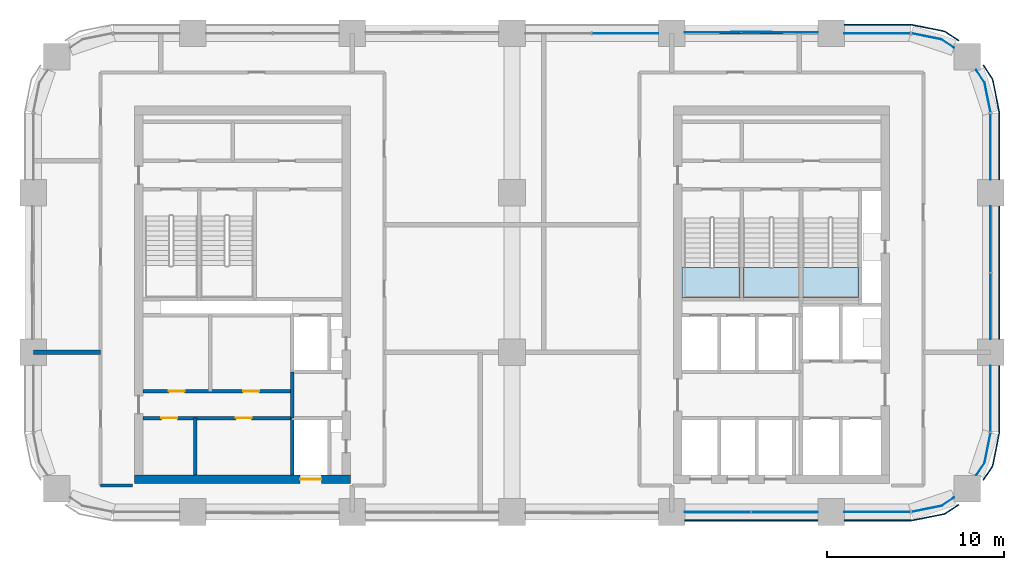
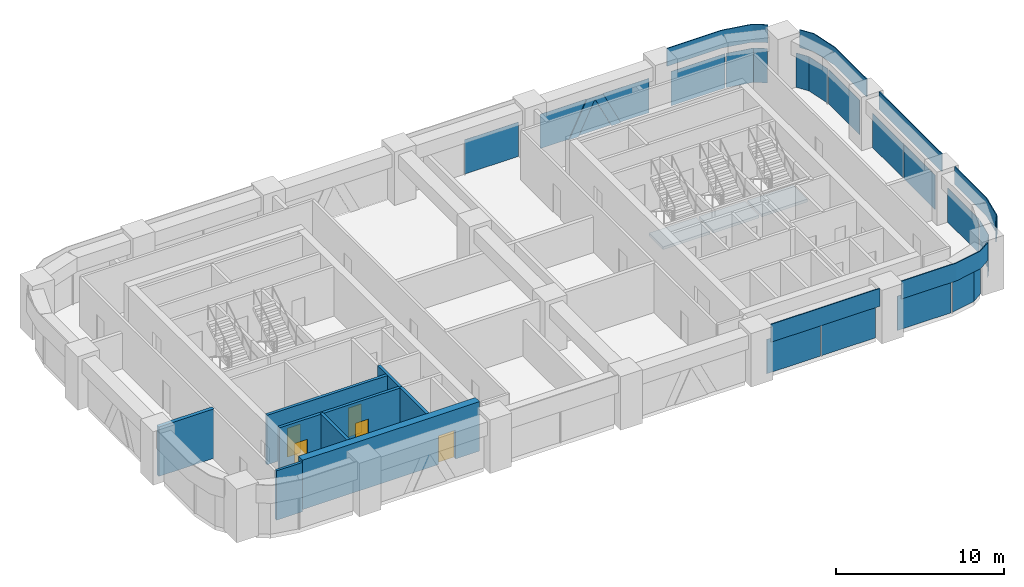
# One storey, part 7 of 18: 23 plates, 8 walls, 5 doors, 3 slabs, 5 openings, 11 elements without a shape of their own.
"""IFC4 building model written with IfcOpenShell, lengths in metres."""

from ifc_helpers import new_model, si_unit, direction, frame, frame_2d, origin, origin_2d, place, context, subcontext, project, spatial, polyline, rectangle, outline, extrude, material, layer, layer_set, type_object, element, fill, aggregate, save


model = new_model("IFC4")

# Units and contexts
model_context = context("Model", 3, precision=1e-05, world=origin(), true_north=direction((0.0, 1.0)))
body_context = subcontext(model_context, "Body", "Model", "MODEL_VIEW")
ifc_project = project(units=[si_unit("LENGTHUNIT", "METRE"), si_unit("AREAUNIT", "SQUARE_METRE"), si_unit("VOLUMEUNIT", "CUBIC_METRE"), si_unit("PLANEANGLEUNIT", "RADIAN"), si_unit("MASSUNIT", "GRAM", prefix="KILO")], contexts=[model_context])

# Site, building, storey
site_placement = place(None, origin())
site = spatial("IfcSite", under=ifc_project, at=site_placement, CompositionType="ELEMENT")
building_placement = place(site_placement, origin())
building = spatial("IfcBuilding", under=site, at=building_placement, Name="Tessera Arch", CompositionType="ELEMENT")
storey_placement = place(building_placement, frame((0.0, 0.0, 185.60009765625)))
storey = spatial("IfcBuildingStorey", under=building, at=storey_placement, Name="L44", CompositionType="ELEMENT", Elevation=185.60009765625)

# Curtain wall, plates
ifc_material_1 = material(Name="CW1 curtain wall")
curtain_wall_type_1 = type_object("IfcCurtainWallType", Name="CW1 curtain wall", PredefinedType="NOTDEFINED", material=ifc_material_1)
curtain_wall_1_placement = place(storey_placement, origin())
curtain_wall_1 = element("IfcCurtainWall", 1, at=curtain_wall_1_placement, inside=storey, type_object=curtain_wall_type_1, Name="CW1 curtain wall E54.27/0 L44", PredefinedType="NOTDEFINED")
ifc_material_2 = material(Name="Clear low-e glass", Category="glass")
ifc_material_3 = material(Name="Clear low-e glass", Category="glass")
ifc_layer_1 = layer(ifc_material_3, 0.028076171875)
ifc_layer_set_1 = layer_set([ifc_layer_1], Name="CW1 glass panel")
plate_type_1 = type_object("IfcPlateType", Name="CW1 glass panel", PredefinedType="CURTAIN_PANEL", material=ifc_layer_set_1)
plate_1_placement = place(storey_placement, frame((54.0, 38.610107421875, 0.0), z_axis=(0.0, 0.0, 1.0), x_axis=(0.0, 1.0, 0.0)))
plate_1 = element("IfcPlate", 2, at=plate_1_placement, type_object=plate_type_1, material=ifc_material_2, Name="CW1 glass panel E54.27/0 1.1.1", PredefinedType="CURTAIN_PANEL", context=body_context, shape_type="SweptSolid", body=[
    extrude(rectangle(XDim=3.719970703125, YDim=0.028076171875, at=origin_2d()), origin(), (0.0, 0.0, 1.0), 2.5),
])
plate_2_placement = place(storey_placement, frame((54.0, 42.389892578125, 0.0), z_axis=(0.0, 0.0, 1.0), x_axis=(0.0, 1.0, 0.0)))
plate_2 = element("IfcPlate", 3, at=plate_2_placement, type_object=plate_type_1, material=ifc_material_2, Name="CW1 glass panel E54.27/0 1.2.1", PredefinedType="CURTAIN_PANEL", context=body_context, shape_type="SweptSolid", body=[
    extrude(rectangle(XDim=3.719970703125, YDim=0.028076171875, at=origin_2d()), origin(), (0.0, 0.0, 1.0), 2.5),
])

# Curtain wall, plate
curtain_wall_2_placement = place(storey_placement, origin())
curtain_wall_2 = element("IfcCurtainWall", 4, at=curtain_wall_2_placement, inside=storey, type_object=curtain_wall_type_1, Name="CW1 curtain wall N54.0/2 L44", PredefinedType="NOTDEFINED")
plate_3_placement = place(storey_placement, frame((33.389892578125, 54.0, 0.0), z_axis=(0.0, 0.0, 1.0), x_axis=(-1.0, 0.0, 0.0)))
plate_3 = element("IfcPlate", 5, at=plate_3_placement, type_object=plate_type_1, material=ifc_material_2, Name="CW1 glass panel N54.0/2 1.1.1", PredefinedType="CURTAIN_PANEL", context=body_context, shape_type="SweptSolid", body=[
    extrude(rectangle(XDim=3.719970703125, YDim=0.028076171875, at=origin_2d()), origin(), (0.0, 0.0, 1.0), 2.5),
])
aggregate(curtain_wall_2, [plate_3])

# Curtain wall, plates
curtain_wall_3_placement = place(storey_placement, origin())
curtain_wall_3 = element("IfcCurtainWall", 6, at=curtain_wall_3_placement, inside=storey, type_object=curtain_wall_type_1, Name="CW1 curtain wall S27.0/4 L44", PredefinedType="NOTDEFINED")
plate_4_placement = place(storey_placement, frame((38.610107421875, 27.0, 0.0), z_axis=(0.0, 0.0, 1.0), x_axis=(1.0, 0.0, 0.0)))
plate_4 = element("IfcPlate", 7, at=plate_4_placement, type_object=plate_type_1, material=ifc_material_2, Name="CW1 glass panel S27.0/4 1.1.1", PredefinedType="CURTAIN_PANEL", context=body_context, shape_type="SweptSolid", body=[
    extrude(rectangle(XDim=3.719970703125, YDim=0.028076171875, at=origin_2d()), origin(), (0.0, 0.0, 1.0), 2.5),
])
plate_5_placement = place(storey_placement, frame((42.389892578125, 27.0, 0.0), z_axis=(0.0, 0.0, 1.0), x_axis=(1.0, 0.0, 0.0)))
plate_5 = element("IfcPlate", 8, at=plate_5_placement, type_object=plate_type_1, material=ifc_material_2, Name="CW1 glass panel S27.0/4 1.2.1", PredefinedType="CURTAIN_PANEL", context=body_context, shape_type="SweptSolid", body=[
    extrude(rectangle(XDim=3.719970703125, YDim=0.028076171875, at=origin_2d()), origin(), (0.0, 0.0, 1.0), 2.5),
])

# Plate
ifc_material_4 = material(Name="Pale anodised aluminium panel", Category="aluminium")
ifc_layer_2 = layer(ifc_material_4, 0.06005859375)
ifc_layer_set_2 = layer_set([ifc_layer_2], Name="CW1 spandrel panel")
plate_type_2 = type_object("IfcPlateType", Name="CW1 spandrel panel", PredefinedType="CURTAIN_PANEL", material=ifc_layer_set_2)
plate_6_placement = place(storey_placement, frame((54.47998046875, 40.5, 2.60009765625), z_axis=(0.0, 0.0, 1.0), x_axis=(0.0, 1.0, 0.0)))
plate_6 = element("IfcPlate", 9, at=plate_6_placement, type_object=plate_type_2, Name="CW1 spandrel panel E54.27/0", PredefinedType="CURTAIN_PANEL", context=body_context, shape_type="SweptSolid", body=[
    extrude(rectangle(XDim=7.5, YDim=0.06005859375, at=origin_2d()), origin(), (0.0, 0.0, 1.0), 1.300048828125),
])

aggregate(curtain_wall_1, [plate_1, plate_2, plate_6])

plate_7_placement = place(storey_placement, frame((40.5, 26.52001953125, 2.60009765625), z_axis=(0.0, 0.0, 1.0), x_axis=(1.0, 0.0, 0.0)))
plate_7 = element("IfcPlate", 10, at=plate_7_placement, type_object=plate_type_2, Name="CW1 spandrel panel S27.0/4", PredefinedType="CURTAIN_PANEL", context=body_context, shape_type="SweptSolid", body=[
    extrude(rectangle(XDim=7.5, YDim=0.06005859375, at=origin_2d()), origin(), (0.0, 0.0, 1.0), 1.300048828125),
])

aggregate(curtain_wall_3, [plate_4, plate_5, plate_7])

# Curtain wall, plates
ifc_material_5 = material(Name="CW2 curtain wall")
curtain_wall_type_2 = type_object("IfcCurtainWallType", Name="CW2 curtain wall", PredefinedType="NOTDEFINED", material=ifc_material_5)
curtain_wall_4_placement = place(storey_placement, origin())
curtain_wall_4 = element("IfcCurtainWall", 11, at=curtain_wall_4_placement, inside=storey, type_object=curtain_wall_type_2, Name="CW2 curtain wall E54.27/1 L44", PredefinedType="NOTDEFINED")
ifc_material_6 = material(Name="Clear low-e glass", Category="glass")
ifc_layer_3 = layer(ifc_material_6, 0.028076171875)
ifc_layer_set_3 = layer_set([ifc_layer_3], Name="CW2 glass panel")
plate_type_3 = type_object("IfcPlateType", Name="CW2 glass panel", PredefinedType="CURTAIN_PANEL", material=ifc_layer_set_3)
plate_8_placement = place(storey_placement, frame((54.0, 47.60498046875, 0.0), z_axis=(0.0, 0.0, 1.0), x_axis=(0.0, 1.0, 0.0)))
plate_8 = element("IfcPlate", 12, at=plate_8_placement, type_object=plate_type_3, material=ifc_material_2, Name="CW2 glass panel E54.27/1 1.1", PredefinedType="CURTAIN_PANEL", context=body_context, shape_type="SweptSolid", body=[
    extrude(rectangle(XDim=3.7099609375, YDim=0.028076171875, at=origin_2d()), origin(), (0.0, 0.0, 1.0), 2.5),
])
plate_9_placement = place(storey_placement, origin())
plate_9 = element("IfcPlate", 13, at=plate_9_placement, type_object=plate_type_3, material=ifc_material_2, Name="CW2 curved glass panel E54.27/1 2.1", PredefinedType="CURTAIN_PANEL", context=body_context, shape_type="SweptSolid", body=[
    extrude(outline(polyline([(53.644287109375, 51.216552734375), (53.978515625, 49.53662109375), (54.005859375, 49.5419921875), (53.670654296875, 51.2275390625), (53.19482421875, 51.939697265625), (53.17138671875, 51.92431640625), (53.644287109375, 51.216552734375)])), origin(), (0.0, 0.0, 1.0), 2.5),
])

curtain_wall_5_placement = place(storey_placement, origin())
curtain_wall_5 = element("IfcCurtainWall", 14, at=curtain_wall_5_placement, inside=storey, type_object=curtain_wall_type_2, Name="CW2 curtain wall N54.0/0 L44", PredefinedType="NOTDEFINED")
plate_10_placement = place(storey_placement, frame((47.60498046875, 54.0, 0.0), z_axis=(0.0, 0.0, 1.0), x_axis=(-1.0, 0.0, 0.0)))
plate_10 = element("IfcPlate", 15, at=plate_10_placement, type_object=plate_type_3, material=ifc_material_2, Name="CW2 glass panel N54.0/0 1.1", PredefinedType="CURTAIN_PANEL", context=body_context, shape_type="SweptSolid", body=[
    extrude(rectangle(XDim=3.7099609375, YDim=0.028076171875, at=origin_2d()), origin(), (0.0, 0.0, 1.0), 2.5),
])
plate_11_placement = place(storey_placement, origin())
plate_11 = element("IfcPlate", 16, at=plate_11_placement, type_object=plate_type_3, material=ifc_material_2, Name="CW2 curved glass panel N54.0/0 2.1", PredefinedType="CURTAIN_PANEL", context=body_context, shape_type="SweptSolid", body=[
    extrude(outline(polyline([(51.216552734375, 53.644287109375), (51.92431640625, 53.17138671875), (51.939697265625, 53.19482421875), (51.2275390625, 53.670654296875), (49.5419921875, 54.005859375), (49.53662109375, 53.978515625), (51.216552734375, 53.644287109375)])), origin(), (0.0, 0.0, 1.0), 2.5),
])

curtain_wall_6_placement = place(storey_placement, origin())
curtain_wall_6 = element("IfcCurtainWall", 17, at=curtain_wall_6_placement, inside=storey, type_object=curtain_wall_type_2, Name="CW2 curtain wall S27.0/5 L44", PredefinedType="NOTDEFINED")
plate_12_placement = place(storey_placement, frame((47.60498046875, 27.0, 0.0), z_axis=(0.0, 0.0, 1.0), x_axis=(1.0, 0.0, 0.0)))
plate_12 = element("IfcPlate", 18, at=plate_12_placement, type_object=plate_type_3, material=ifc_material_2, Name="CW2 glass panel S27.0/5 1.1", PredefinedType="CURTAIN_PANEL", context=body_context, shape_type="SweptSolid", body=[
    extrude(rectangle(XDim=3.7099609375, YDim=0.028076171875, at=origin_2d()), origin(), (0.0, 0.0, 1.0), 2.5),
])
plate_13_placement = place(storey_placement, origin())
plate_13 = element("IfcPlate", 19, at=plate_13_placement, type_object=plate_type_3, material=ifc_material_2, Name="CW2 curved glass panel S27.0/5 2.1", PredefinedType="CURTAIN_PANEL", context=body_context, shape_type="SweptSolid", body=[
    extrude(outline(polyline([(51.216552734375, 27.355712890625), (49.53662109375, 27.021484375), (49.5419921875, 26.994140625), (51.2275390625, 27.329345703125), (51.939697265625, 27.80517578125), (51.92431640625, 27.82861328125), (51.216552734375, 27.355712890625)])), origin(), (0.0, 0.0, 1.0), 2.5),
])

curtain_wall_7_placement = place(storey_placement, origin())
curtain_wall_7 = element("IfcCurtainWall", 20, at=curtain_wall_7_placement, inside=storey, type_object=curtain_wall_type_2, Name="CW2 curtain wall E54.27/2 L44", PredefinedType="NOTDEFINED")
plate_14_placement = place(storey_placement, frame((54.0, 33.39501953125, 0.0), z_axis=(0.0, 0.0, 1.0), x_axis=(0.0, 1.0, 0.0)))
plate_14 = element("IfcPlate", 21, at=plate_14_placement, type_object=plate_type_3, material=ifc_material_2, Name="CW2 glass panel E54.27/2 1.1", PredefinedType="CURTAIN_PANEL", context=body_context, shape_type="SweptSolid", body=[
    extrude(rectangle(XDim=3.7099609375, YDim=0.028076171875, at=origin_2d()), origin(), (0.0, 0.0, 1.0), 2.5),
])
plate_15_placement = place(storey_placement, origin())
plate_15 = element("IfcPlate", 22, at=plate_15_placement, type_object=plate_type_3, material=ifc_material_2, Name="CW2 curved glass panel E54.27/2 2.1", PredefinedType="CURTAIN_PANEL", context=body_context, shape_type="SweptSolid", body=[
    extrude(outline(polyline([(53.644287109375, 29.783447265625), (53.17138671875, 29.07568359375), (53.19482421875, 29.060302734375), (53.670654296875, 29.7724609375), (54.005859375, 31.4580078125), (53.978515625, 31.46337890625), (53.644287109375, 29.783447265625)])), origin(), (0.0, 0.0, 1.0), 2.5),
])

# Plate
ifc_material_7 = material(Name="Pale anodised aluminium panel", Category="aluminium")
ifc_layer_4 = layer(ifc_material_7, 0.06005859375)
ifc_layer_set_4 = layer_set([ifc_layer_4], Name="CW2 spandrel panel")
plate_type_4 = type_object("IfcPlateType", Name="CW2 spandrel panel", PredefinedType="CURTAIN_PANEL", material=ifc_layer_set_4)
plate_16_placement = place(storey_placement, frame((0.0, 0.0, 2.599853515625)))
plate_16 = element("IfcPlate", 23, at=plate_16_placement, type_object=plate_type_4, Name="CW2 spandrel panel E54.27/1", PredefinedType="CURTAIN_PANEL", context=body_context, shape_type="SweptSolid", body=[
    extrude(outline(polyline([(54.449951171875, 49.499267578125), (54.449951171875, 45.75), (54.510009765625, 45.75), (54.510009765625, 49.500732421875), (54.507568359375, 49.550048828125), (54.500244140625, 49.598876953125), (54.157470703125, 51.322265625), (54.1455078125, 51.3701171875), (54.128662109375, 51.417236328125), (54.107421875, 51.462646484375), (54.08203125, 51.5048828125), (53.607177734375, 52.21533203125), (53.55712890625, 52.18212890625), (54.03125, 51.47265625), (54.054443359375, 51.434326171875), (54.0732421875, 51.394287109375), (54.088134765625, 51.352783203125), (54.09912109375, 51.30908203125), (54.441162109375, 49.588623046875), (54.44775390625, 49.544189453125), (54.449951171875, 49.499267578125)])), origin(), (0.0, 0.0, 1.0), 1.300048828125),
])

aggregate(curtain_wall_4, [plate_8, plate_9, plate_16])

plate_17_placement = place(storey_placement, frame((0.0, 0.0, 2.599853515625)))
plate_17 = element("IfcPlate", 24, at=plate_17_placement, type_object=plate_type_4, Name="CW2 spandrel panel N54.0/0", PredefinedType="CURTAIN_PANEL", context=body_context, shape_type="SweptSolid", body=[
    extrude(outline(polyline([(51.47265625, 54.03125), (52.18212890625, 53.55712890625), (52.21533203125, 53.607177734375), (51.5048828125, 54.08203125), (51.462646484375, 54.107421875), (51.417236328125, 54.128662109375), (51.3701171875, 54.1455078125), (51.322265625, 54.157470703125), (49.598876953125, 54.500244140625), (49.550048828125, 54.507568359375), (49.500732421875, 54.510009765625), (45.75, 54.510009765625), (45.75, 54.449951171875), (49.499267578125, 54.449951171875), (49.544189453125, 54.44775390625), (49.588623046875, 54.441162109375), (51.30908203125, 54.09912109375), (51.352783203125, 54.088134765625), (51.394287109375, 54.0732421875), (51.434326171875, 54.054443359375), (51.47265625, 54.03125)])), origin(), (0.0, 0.0, 1.0), 1.300048828125),
])

aggregate(curtain_wall_5, [plate_10, plate_11, plate_17])

plate_18_placement = place(storey_placement, frame((0.0, 0.0, 2.599853515625)))
plate_18 = element("IfcPlate", 25, at=plate_18_placement, type_object=plate_type_4, Name="CW2 spandrel panel S27.0/5", PredefinedType="CURTAIN_PANEL", context=body_context, shape_type="SweptSolid", body=[
    extrude(outline(polyline([(49.499267578125, 26.550048828125), (45.75, 26.550048828125), (45.75, 26.489990234375), (49.500732421875, 26.489990234375), (49.550048828125, 26.492431640625), (49.598876953125, 26.499755859375), (51.322265625, 26.842529296875), (51.3701171875, 26.8544921875), (51.417236328125, 26.871337890625), (51.462646484375, 26.892578125), (51.5048828125, 26.91796875), (52.21533203125, 27.392822265625), (52.18212890625, 27.44287109375), (51.47265625, 26.96875), (51.434326171875, 26.945556640625), (51.394287109375, 26.9267578125), (51.352783203125, 26.911865234375), (51.30908203125, 26.90087890625), (49.588623046875, 26.558837890625), (49.544189453125, 26.55224609375), (49.499267578125, 26.550048828125)])), origin(), (0.0, 0.0, 1.0), 1.300048828125),
])

aggregate(curtain_wall_6, [plate_12, plate_13, plate_18])

plate_19_placement = place(storey_placement, frame((0.0, 0.0, 2.599853515625)))
plate_19 = element("IfcPlate", 26, at=plate_19_placement, type_object=plate_type_4, Name="CW2 spandrel panel E54.27/2", PredefinedType="CURTAIN_PANEL", context=body_context, shape_type="SweptSolid", body=[
    extrude(outline(polyline([(54.03125, 29.52734375), (53.55712890625, 28.81787109375), (53.607177734375, 28.78466796875), (54.08203125, 29.4951171875), (54.107421875, 29.537353515625), (54.128662109375, 29.582763671875), (54.1455078125, 29.6298828125), (54.157470703125, 29.677734375), (54.500244140625, 31.401123046875), (54.507568359375, 31.449951171875), (54.510009765625, 31.499267578125), (54.510009765625, 35.25), (54.449951171875, 35.25), (54.449951171875, 31.500732421875), (54.44775390625, 31.455810546875), (54.441162109375, 31.411376953125), (54.09912109375, 29.69091796875), (54.088134765625, 29.647216796875), (54.0732421875, 29.605712890625), (54.054443359375, 29.565673828125), (54.03125, 29.52734375)])), origin(), (0.0, 0.0, 1.0), 1.300048828125),
])

aggregate(curtain_wall_7, [plate_14, plate_15, plate_19])

# Curtain wall, plates
ifc_material_8 = material(Name="CW3 curtain wall")
curtain_wall_type_3 = type_object("IfcCurtainWallType", Name="CW3 curtain wall", PredefinedType="NOTDEFINED", material=ifc_material_8)
curtain_wall_8_placement = place(storey_placement, origin())
curtain_wall_8 = element("IfcCurtainWall", 27, at=curtain_wall_8_placement, inside=storey, type_object=curtain_wall_type_3, Name="CW3 curtain wall N54.0/1 L44", PredefinedType="NOTDEFINED")
ifc_material_9 = material(Name="Pale anodised aluminium panel", Category="aluminium")
ifc_layer_5 = layer(ifc_material_9, 0.06005859375)
ifc_layer_set_5 = layer_set([ifc_layer_5], Name="CW3 diagonal panel")
plate_type_5 = type_object("IfcPlateType", Name="CW3 diagonal panel", PredefinedType="CURTAIN_PANEL", material=ifc_layer_set_5)
plate_20_placement = place(storey_placement, frame((39.935546875, 54.030029296875, 2.5), z_axis=(0.0, 1.0, 0.0), x_axis=(1.0, 0.0, 0.0)))
plate_20 = element("IfcPlate", 28, at=plate_20_placement, type_object=plate_type_5, Name="CW3 diagonal panel N54.0/1 1", PredefinedType="CURTAIN_PANEL", context=body_context, shape_type="SweptSolid", body=[
    extrude(outline(polyline([(0.0, 0.0), (1.12890625, 0.0), (2.346435546875, 2.5), (1.70458984375, 2.5), (0.564453125, 0.1591796875), (-0.57568359375, 2.5), (-1.217529296875, 2.5), (0.0, 0.0)])), origin(), (0.0, 0.0, -1.0), 0.06005859375),
])
ifc_material_10 = material(Name="Clear low-e glass", Category="glass")
ifc_layer_6 = layer(ifc_material_10, 0.028076171875)
ifc_layer_set_6 = layer_set([ifc_layer_6], Name="CW3 glass panel")
plate_type_6 = type_object("IfcPlateType", Name="CW3 glass panel", PredefinedType="CURTAIN_PANEL", material=ifc_layer_set_6)
plate_21_placement = place(storey_placement, frame((44.25, 54.05810546875, 0.0), z_axis=(0.0, 1.0, 0.0), x_axis=(-1.0, 0.0, 0.0)))
plate_21 = element("IfcPlate", 29, at=plate_21_placement, type_object=plate_type_6, material=ifc_material_2, Name="CW3 triangulated glass panel N54.0/1 1", PredefinedType="CURTAIN_PANEL", context=body_context, shape_type="SweptSolid", body=[
    extrude(outline(polyline([(0.0, 0.0), (1.968017578125, 0.0), (3.185546875, 2.5), (0.0, 2.5), (0.0, 0.0)])), origin(), (0.0, 0.0, -1.0), 0.028076171875),
])
plate_22_placement = place(storey_placement, frame((41.64013671875, 54.0859375, 0.0), z_axis=(0.0, 1.0, 0.0), x_axis=(-1.0, 0.0, 0.0)))
plate_22 = element("IfcPlate", 30, at=plate_22_placement, type_object=plate_type_6, material=ifc_material_2, Name="CW3 triangulated glass panel N54.0/1 2", PredefinedType="CURTAIN_PANEL", context=body_context, shape_type="SweptSolid", body=[
    extrude(outline(polyline([(0.0, 0.0), (2.2802734375, 0.0), (1.14013671875, 2.3408203125), (0.0, 0.0)])), origin(), (0.0, 0.0, -1.0), 0.028076171875),
])
plate_23_placement = place(storey_placement, frame((36.75, 54.05810546875, 2.5), z_axis=(0.0, 1.0, 0.0), x_axis=(1.0, 0.0, 0.0)))
plate_23 = element("IfcPlate", 31, at=plate_23_placement, type_object=plate_type_6, material=ifc_material_2, Name="CW3 triangulated glass panel N54.0/1 3", PredefinedType="CURTAIN_PANEL", context=body_context, shape_type="SweptSolid", body=[
    extrude(outline(polyline([(0.0, 0.0), (3.185546875, 0.0), (1.968017578125, 2.5), (0.0, 2.5), (0.0, 0.0)])), origin(), (0.0, 0.0, -1.0), 0.028076171875),
])
aggregate(curtain_wall_8, [plate_21, plate_22, plate_23, plate_20])

# Stair, slab
ifc_material_11 = material(Name="Concrete C40/50", Category="concrete")
stair_type = type_object("IfcStairType", Name="Dogleg stair 1520", PredefinedType="HALF_TURN_STAIR", material=ifc_material_11)
stair_1_placement = place(storey_placement, origin())
stair_1 = element("IfcStair", 32, at=stair_1_placement, inside=storey, type_object=stair_type, Name="L44 S1a", PredefinedType="HALF_TURN_STAIR")
ifc_material_12 = material(Name="Concrete C40/50", Category="concrete")
ifc_layer_7 = layer(ifc_material_12, 0.300048828125)
ifc_layer_set_7 = layer_set([ifc_layer_7], Name="Stair landing 300")
slab_type = type_object("IfcSlabType", Name="Stair landing 300", PredefinedType="LANDING", material=ifc_layer_set_7)
slab_1_placement = place(storey_placement, frame((0.0, 0.0, 1.75)))
slab_1 = element("IfcSlab", 33, at=slab_1_placement, type_object=slab_type, Name="S1a landing 1", PredefinedType="LANDING", context=body_context, shape_type="SweptSolid", body=[
    extrude(outline(polyline([(36.60009765625, 40.780029296875), (36.60009765625, 39.10009765625), (39.85009765625, 39.10009765625), (39.85009765625, 40.780029296875), (36.60009765625, 40.780029296875)])), origin(), (0.0, 0.0, 1.0), 0.199951171875),
])
aggregate(stair_1, [slab_1])

stair_2_placement = place(storey_placement, origin())
stair_2 = element("IfcStair", 34, at=stair_2_placement, inside=storey, type_object=stair_type, Name="L44 S1b", PredefinedType="HALF_TURN_STAIR")
slab_2_placement = place(storey_placement, frame((0.0, 0.0, 1.75)))
slab_2 = element("IfcSlab", 35, at=slab_2_placement, type_object=slab_type, Name="S1b landing 1", PredefinedType="LANDING", context=body_context, shape_type="SweptSolid", body=[
    extrude(outline(polyline([(40.050048828125, 40.780029296875), (40.050048828125, 39.10009765625), (43.199951171875, 39.10009765625), (43.199951171875, 40.780029296875), (40.050048828125, 40.780029296875)])), origin(), (0.0, 0.0, 1.0), 0.199951171875),
])
aggregate(stair_2, [slab_2])

stair_3_placement = place(storey_placement, origin())
stair_3 = element("IfcStair", 36, at=stair_3_placement, inside=storey, type_object=stair_type, Name="L44 S1c", PredefinedType="HALF_TURN_STAIR")
slab_3_placement = place(storey_placement, frame((0.0, 0.0, 1.75)))
slab_3 = element("IfcSlab", 37, at=slab_3_placement, type_object=slab_type, Name="S1c landing 1", PredefinedType="LANDING", context=body_context, shape_type="SweptSolid", body=[
    extrude(outline(polyline([(43.39990234375, 40.780029296875), (43.39990234375, 39.10009765625), (46.550048828125, 39.10009765625), (46.550048828125, 40.780029296875), (43.39990234375, 40.780029296875)])), origin(), (0.0, 0.0, 1.0), 0.199951171875),
])
aggregate(stair_3, [slab_3])

# Walls
ifc_material_13 = material(Name="Gypsum board on steel stud", Category="steel")
ifc_layer_8 = layer(ifc_material_13, 0.125)
ifc_layer_set_8 = layer_set([ifc_layer_8], Name="Core partition 125 EI 60")
wall_type_1 = type_object("IfcWallType", Name="Core partition 125 EI 60", PredefinedType="PARTITIONING", material=ifc_layer_set_8)
wall_1_placement = place(storey_placement, frame((9.139892578125, 29.10009765625, 0.0), z_axis=(0.0, 0.0, 1.0), x_axis=(0.0, 1.0, 0.0)))
element("IfcWall", 38, at=wall_1_placement, inside=storey, type_object=wall_type_1, Name="L44 C2 partition wall 1", PredefinedType="PARTITIONING", context=body_context, shape_type="SweptSolid", body=[
    extrude(rectangle(XDim=3.199951171875, YDim=0.199951171875, at=frame_2d((1.60009765625, 0.0))), origin(), (0.0, 0.0, 1.0), 3.599853515625),
])
wall_2_placement = place(storey_placement, frame((14.60009765625, 32.300048828125, 0.0), z_axis=(0.0, 0.0, 1.0), x_axis=(0.0, 1.0, 0.0)))
element("IfcWall", 39, at=wall_2_placement, inside=storey, type_object=wall_type_1, Name="L44 C2 partition wall 8", PredefinedType="PARTITIONING", context=body_context, shape_type="SweptSolid", body=[
    extrude(rectangle(XDim=2.599853515625, YDim=0.199951171875, at=frame_2d((1.2998046875, 0.0))), origin(), (0.0, 0.0, 1.0), 3.599853515625),
])

# Wall, openings, doors
wall_3_placement = place(storey_placement, frame((6.199951171875, 32.300048828125, 0.0), z_axis=(0.0, 0.0, 1.0), x_axis=(1.0, 0.0, 0.0)))
wall_3 = element("IfcWall", 40, at=wall_3_placement, inside=storey, type_object=wall_type_1, Name="L44 C2 partition wall 13", PredefinedType="PARTITIONING", context=body_context, shape_type="SweptSolid", body=[
    extrude(rectangle(XDim=8.400146484375, YDim=0.199951171875, at=frame_2d((4.2001953125, 0.0))), origin(), (0.0, 0.0, 1.0), 3.599853515625),
])
opening_1_placement = place(wall_3_placement, frame((1.02001953125, 0.0, 0.0)))
opening_1 = element("IfcOpeningElement", 41, at=opening_1_placement, cuts=wall_3, Name="Opening L44-C32", PredefinedType="OPENING", context=body_context, shape_type="SweptSolid", body=[
    extrude(rectangle(XDim=0.89990234375, YDim=2.10009765625, at=frame_2d((0.449951171875, 1.050048828125))), frame((0.0, 0.10986328125, 0.0), z_axis=(0.0, -1.0, 0.0), x_axis=(1.0, 0.0, 0.0)), (0.0, 0.0, 1.0), 0.219970703125),
])
opening_2_placement = place(wall_3_placement, frame((5.219970703125, 0.0, 0.0)))
opening_2 = element("IfcOpeningElement", 42, at=opening_2_placement, cuts=wall_3, Name="Opening L44-C33", PredefinedType="OPENING", context=body_context, shape_type="SweptSolid", body=[
    extrude(rectangle(XDim=0.89990234375, YDim=2.10009765625, at=frame_2d((0.449951171875, 1.050048828125))), frame((0.0, 0.10986328125, 0.0), z_axis=(0.0, -1.0, 0.0), x_axis=(1.0, 0.0, 0.0)), (0.0, 0.0, 1.0), 0.219970703125),
])
ifc_material_14 = material(Name="Steel door leaf", Category="steel")
door_type_1 = type_object("IfcDoorType", Name="Store door FD30S 900 x 2100", OperationType="SINGLE_SWING_LEFT", PredefinedType="DOOR", material=ifc_material_14)
door_1_placement = place(opening_1_placement, origin())
door_1 = element("IfcDoor", 43, at=door_1_placement, inside=storey, type_object=door_type_1, Name="L44 C2 door 13 C32 type D09", OperationType="SINGLE_SWING_LEFT", OverallHeight=2.10009765625, OverallWidth=0.89990234375, PredefinedType="DOOR", context=body_context, shape_type="SweptSolid", body=[
    extrude(rectangle(XDim=0.89990234375, YDim=2.10009765625, at=frame_2d((0.449951171875, 1.050048828125))), frame((0.0, 0.02490234375, 0.0), z_axis=(0.0, -1.0, 0.0), x_axis=(1.0, 0.0, 0.0)), (0.0, 0.0, 1.0), 0.050048828125),
])
fill(opening_1, door_1)
door_2_placement = place(opening_2_placement, origin())
door_2 = element("IfcDoor", 44, at=door_2_placement, inside=storey, type_object=door_type_1, Name="L44 C2 door 14 C33 type D09", OperationType="SINGLE_SWING_RIGHT", OverallHeight=2.10009765625, OverallWidth=0.89990234375, PredefinedType="DOOR", context=body_context, shape_type="SweptSolid", body=[
    extrude(rectangle(XDim=0.89990234375, YDim=2.10009765625, at=frame_2d((0.449951171875, 1.050048828125))), frame((0.0, 0.02490234375, 0.0), z_axis=(0.0, -1.0, 0.0), x_axis=(1.0, 0.0, 0.0)), (0.0, 0.0, 1.0), 0.050048828125),
])
fill(opening_2, door_2)

wall_4_placement = place(storey_placement, frame((6.199951171875, 33.800048828125, 0.0), z_axis=(0.0, 0.0, 1.0), x_axis=(1.0, 0.0, 0.0)))
wall_4 = element("IfcWall", 45, at=wall_4_placement, inside=storey, type_object=wall_type_1, Name="L44 C2 partition wall 15", PredefinedType="PARTITIONING", context=body_context, shape_type="SweptSolid", body=[
    extrude(rectangle(XDim=8.400146484375, YDim=0.199951171875, at=frame_2d((4.2001953125, 0.0))), origin(), (0.0, 0.0, 1.0), 3.599853515625),
])
opening_3_placement = place(wall_4_placement, frame((1.43994140625, 0.0, 0.0)))
opening_3 = element("IfcOpeningElement", 46, at=opening_3_placement, cuts=wall_4, Name="Opening L44-C34", PredefinedType="OPENING", context=body_context, shape_type="SweptSolid", body=[
    extrude(rectangle(XDim=0.89990234375, YDim=2.10009765625, at=frame_2d((0.449951171875, 1.050048828125))), frame((0.0, 0.10986328125, 0.0), z_axis=(0.0, -1.0, 0.0), x_axis=(1.0, 0.0, 0.0)), (0.0, 0.0, 1.0), 0.219970703125),
])
opening_4_placement = place(wall_4_placement, frame((5.639892578125, 0.0, 0.0)))
opening_4 = element("IfcOpeningElement", 47, at=opening_4_placement, cuts=wall_4, Name="Opening L44-C35", PredefinedType="OPENING", context=body_context, shape_type="SweptSolid", body=[
    extrude(rectangle(XDim=0.89990234375, YDim=2.10009765625, at=frame_2d((0.449951171875, 1.050048828125))), frame((0.0, 0.10986328125, 0.0), z_axis=(0.0, -1.0, 0.0), x_axis=(1.0, 0.0, 0.0)), (0.0, 0.0, 1.0), 0.219970703125),
])
door_3_placement = place(opening_3_placement, origin())
door_3 = element("IfcDoor", 48, at=door_3_placement, inside=storey, type_object=door_type_1, Name="L44 C2 door 15 C34 type D09", OperationType="SINGLE_SWING_LEFT", OverallHeight=2.10009765625, OverallWidth=0.89990234375, PredefinedType="DOOR", context=body_context, shape_type="SweptSolid", body=[
    extrude(rectangle(XDim=0.89990234375, YDim=2.10009765625, at=frame_2d((0.449951171875, 1.050048828125))), frame((0.0, 0.02490234375, 0.0), z_axis=(0.0, -1.0, 0.0), x_axis=(1.0, 0.0, 0.0)), (0.0, 0.0, 1.0), 0.050048828125),
])
fill(opening_3, door_3)
door_4_placement = place(opening_4_placement, origin())
door_4 = element("IfcDoor", 49, at=door_4_placement, inside=storey, type_object=door_type_1, Name="L44 C2 door 16 C35 type D09", OperationType="SINGLE_SWING_RIGHT", OverallHeight=2.10009765625, OverallWidth=0.89990234375, PredefinedType="DOOR", context=body_context, shape_type="SweptSolid", body=[
    extrude(rectangle(XDim=0.89990234375, YDim=2.10009765625, at=frame_2d((0.449951171875, 1.050048828125))), frame((0.0, 0.02490234375, 0.0), z_axis=(0.0, -1.0, 0.0), x_axis=(1.0, 0.0, 0.0)), (0.0, 0.0, 1.0), 0.050048828125),
])
fill(opening_4, door_4)

# Wall, opening, door
ifc_material_15 = material(Name="Concrete C60/75", Category="concrete")
ifc_layer_9 = layer(ifc_material_15, 0.5)
ifc_layer_set_9 = layer_set([ifc_layer_9], Name="Core shell wall 500 C60-75")
wall_type_2 = type_object("IfcWallType", Name="Core shell wall 500 C60-75", PredefinedType="SHEAR", material=ifc_layer_set_9)
wall_5_placement = place(storey_placement, frame((5.699951171875, 28.85009765625, 0.0), z_axis=(0.0, 0.0, 1.0), x_axis=(1.0, 0.0, 0.0)))
wall_5 = element("IfcWall", 50, at=wall_5_placement, inside=storey, type_object=wall_type_2, Name="L44 C2 core wall S", PredefinedType="SHEAR", context=body_context, shape_type="SweptSolid", body=[
    extrude(rectangle(XDim=12.199951171875, YDim=0.5, at=frame_2d((6.10009765625, 0.0))), origin(), (0.0, 0.0, 1.0), 3.599853515625),
])
opening_5_placement = place(wall_5_placement, frame((9.35009765625, 0.0, 0.0)))
opening_5 = element("IfcOpeningElement", 51, at=opening_5_placement, cuts=wall_5, Name="Opening L44-C20", PredefinedType="OPENING", context=body_context, shape_type="SweptSolid", body=[
    extrude(rectangle(XDim=1.199951171875, YDim=2.10009765625, at=frame_2d((0.60009765625, 1.050048828125))), frame((0.0, 0.260009765625, 0.0), z_axis=(0.0, -1.0, 0.0), x_axis=(1.0, 0.0, 0.0)), (0.0, 0.0, 1.0), 0.52001953125),
])
ifc_material_16 = material(Name="Stainless steel AISI 304", Category="steel")
door_type_2 = type_object("IfcDoorType", Name="Sliding landing door 1200 x 2100", OperationType="SLIDING_TO_LEFT", PredefinedType="DOOR", material=ifc_material_16)
door_5_placement = place(opening_5_placement, origin())
door_5 = element("IfcDoor", 52, at=door_5_placement, inside=storey, type_object=door_type_2, Name="L44 HR7 lift landing door C20 type LD", OperationType="SLIDING_TO_LEFT", OverallHeight=2.10009765625, OverallWidth=1.199951171875, PredefinedType="DOOR", context=body_context, shape_type="SweptSolid", body=[
    extrude(rectangle(XDim=1.199951171875, YDim=2.10009765625, at=frame_2d((0.60009765625, 1.050048828125))), frame((0.0, 0.02490234375, 0.0), z_axis=(0.0, -1.0, 0.0), x_axis=(1.0, 0.0, 0.0)), (0.0, 0.0, 1.0), 0.050048828125),
])
fill(opening_5, door_5)

# Walls
ifc_material_17 = material(Name="Gypsum board on deep steel stud with mineral wool", Category="steel")
ifc_layer_10 = layer(ifc_material_17, 0.175048828125)
ifc_layer_set_10 = layer_set([ifc_layer_10], Name="Corridor wall 175 EI 60")
wall_type_3 = type_object("IfcWallType", Name="Corridor wall 175 EI 60", PredefinedType="PARTITIONING", material=ifc_layer_set_10)
wall_6_placement = place(storey_placement, frame((3.800048828125, 28.5, 0.0), z_axis=(0.0, 0.0, 1.0), x_axis=(1.0, 0.0, 0.0)))
element("IfcWall", 53, at=wall_6_placement, inside=storey, type_object=wall_type_3, Name="L44 partition 1", PredefinedType="PARTITIONING", context=body_context, shape_type="SweptSolid", body=[
    extrude(rectangle(XDim=1.800048828125, YDim=0.175048828125, at=frame_2d((0.89990234375, 0.0))), origin(), (0.0, 0.0, 1.0), 3.599853515625),
])
ifc_material_18 = material(Name="Double gypsum board on twin steel stud with acoustic mineral wool", Category="steel")
ifc_layer_11 = layer(ifc_material_18, 0.25)
ifc_layer_set_11 = layer_set([ifc_layer_11], Name="Party wall 250 EI 60")
wall_type_4 = type_object("IfcWallType", Name="Party wall 250 EI 60", PredefinedType="PARTITIONING", material=ifc_layer_set_11)
wall_7_placement = place(storey_placement, frame((0.0, 36.0, 0.0), z_axis=(0.0, 0.0, 1.0), x_axis=(1.0, 0.0, 0.0)))
element("IfcWall", 54, at=wall_7_placement, inside=storey, type_object=wall_type_4, Name="L44 partition 11", PredefinedType="PARTITIONING", context=body_context, shape_type="SweptSolid", body=[
    extrude(rectangle(XDim=3.800048828125, YDim=0.25, at=frame_2d((1.89990234375, 0.0))), origin(), (0.0, 0.0, 1.0), 3.599853515625),
])
ifc_material_19 = material(Name="Concrete C40/50", Category="concrete")
ifc_layer_12 = layer(ifc_material_19, 0.199951171875)
ifc_layer_set_12 = layer_set([ifc_layer_12], Name="Shaft wall 200 EI 120")
wall_type_5 = type_object("IfcWallType", Name="Shaft wall 200 EI 120", PredefinedType="SOLIDWALL", material=ifc_layer_set_12)
wall_8_placement = place(storey_placement, frame((14.60009765625, 29.10009765625, 0.0), z_axis=(0.0, 0.0, 1.0), x_axis=(0.0, 1.0, 0.0)))
element("IfcWall", 55, at=wall_8_placement, inside=storey, type_object=wall_type_5, Name="L44 C2 shaft wall 9", PredefinedType="SOLIDWALL", context=body_context, shape_type="SweptSolid", body=[
    extrude(rectangle(XDim=3.199951171875, YDim=0.199951171875, at=frame_2d((1.60009765625, 0.0))), origin(), (0.0, 0.0, 1.0), 3.599853515625),
])

save(model, "model.ifc")
